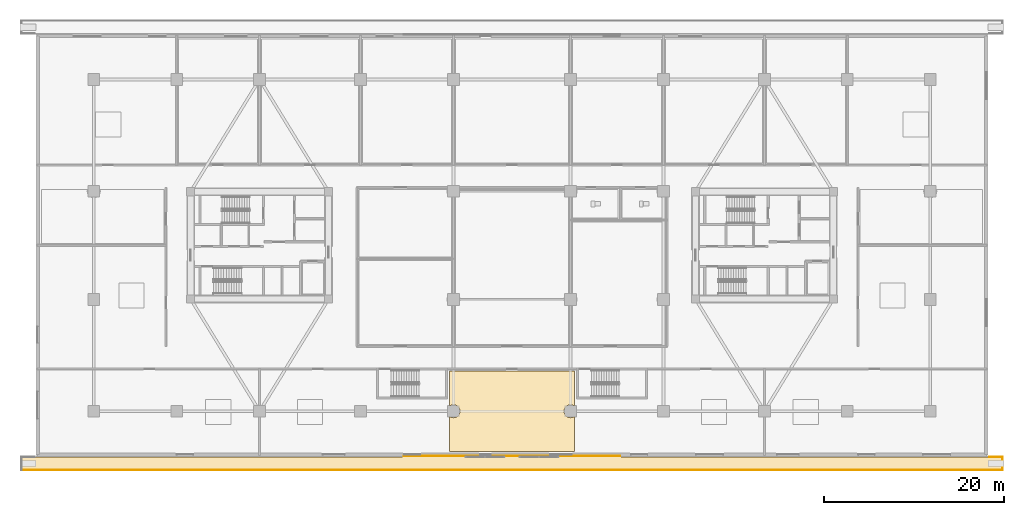
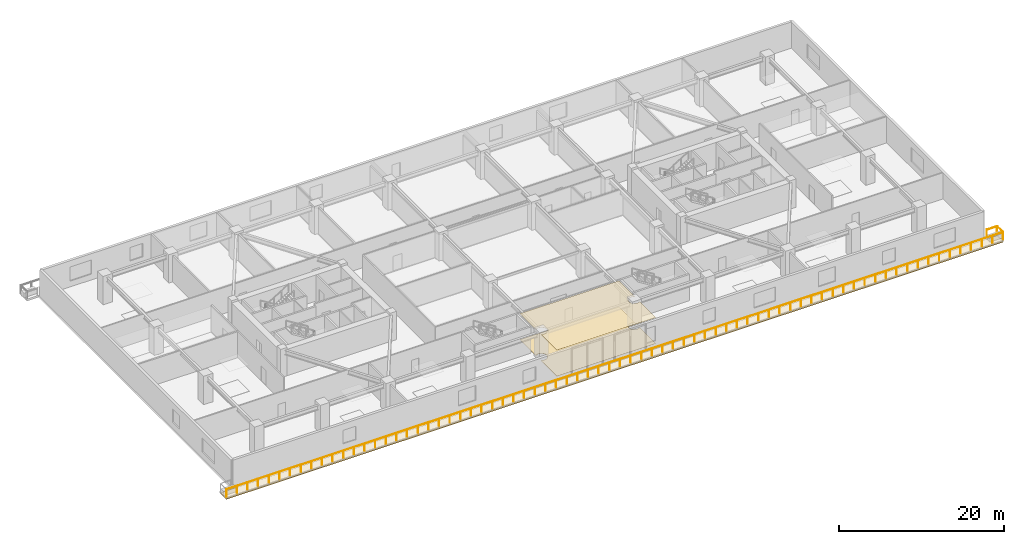
# One storey, part 15 of 22: 4 coverings, 1 railing.
"""IFC4 building model written with IfcOpenShell, lengths in metres."""

from ifc_helpers import new_model, si_unit, direction, frame, origin, origin_2d, place, context, subcontext, project, spatial, polyline, rectangle, outline, extrude, source, transform, mapped, material, layer, layer_set, type_object, type_shapes, element, save


model = new_model("IFC4")

# Units and contexts
model_context = context("Model", 3, precision=1e-05, world=origin(), true_north=direction((0.0, 1.0)))
body_context = subcontext(model_context, "Body", "Model", "MODEL_VIEW")
ifc_project = project(units=[si_unit("LENGTHUNIT", "METRE"), si_unit("AREAUNIT", "SQUARE_METRE"), si_unit("VOLUMEUNIT", "CUBIC_METRE"), si_unit("PLANEANGLEUNIT", "RADIAN"), si_unit("MASSUNIT", "GRAM", prefix="KILO")], contexts=[model_context])

# Site, building, storey
site_placement = place(None, origin())
site = spatial("IfcSite", under=ifc_project, at=site_placement, CompositionType="ELEMENT")
building_placement = place(site_placement, origin())
building = spatial("IfcBuilding", under=site, at=building_placement, Name="Norrkilde Senior Care Towers", CompositionType="ELEMENT")
storey_placement = place(building_placement, frame((0.0, 0.0, 4.199951171875)))
storey = spatial("IfcBuildingStorey", under=building, at=storey_placement, Name="L01", CompositionType="ELEMENT", Elevation=4.199951171875)

# Railing
ifc_material_1 = material(Name="Anodised Aluminium", Category="aluminium")
railing_type = type_object("IfcRailingType", Name="Balcony Swirl Ribbon Guardrail 1150", PredefinedType="GUARDRAIL", material=ifc_material_1)
railing_placement = place(storey_placement, frame((52.958740234375, -23.485107421875, 0.0)))
element("IfcRailing", 1, at=railing_placement, inside=storey, type_object=railing_type, Name="L01 Perimeter Safety Guard 02", PredefinedType="GUARDRAIL", context=body_context, shape_type="SweptSolid", body=[
    extrude(rectangle(XDim=0.048095703125, YDim=0.048095703125, at=origin_2d()), frame((0.0, 0.0, 1.1259765625), z_axis=(1.0, 0.0, 0.0), x_axis=(0.0, 1.0, 0.0)), (0.0, 0.0, 1.0), 1.42041015625),
    extrude(rectangle(XDim=0.048095703125, YDim=0.048095703125, at=origin_2d()), frame((1.461181640625, -0.040771484375, 1.1259765625), z_axis=(0.0, -1.0, 0.0), x_axis=(1.0, 0.0, 0.0)), (0.0, 0.0, 1.0), 1.35302734375),
    extrude(rectangle(XDim=0.048095703125, YDim=0.048095703125, at=origin_2d()), frame((1.42041015625, -1.434814453125, 1.1259765625), z_axis=(-1.0, 0.0, 0.0), x_axis=(0.0, -1.0, 0.0)), (0.0, 0.0, 1.0), 108.799072265625),
    extrude(rectangle(XDim=0.0419921875, YDim=0.0419921875, at=origin_2d()), origin(), (0.0, 0.0, 1.0), 1.099853515625),
    extrude(rectangle(XDim=0.0419921875, YDim=0.0419921875, at=origin_2d()), frame((1.461181640625, 0.0, 0.0)), (0.0, 0.0, 1.0), 1.099853515625),
    extrude(rectangle(XDim=0.0419921875, YDim=0.0419921875, at=origin_2d()), frame((1.461181640625, -1.434814453125, 0.0)), (0.0, 0.0, 1.0), 1.099853515625),
    extrude(rectangle(XDim=0.0419921875, YDim=0.0419921875, at=origin_2d()), frame((-0.02978515625, -1.434814453125, 0.0)), (0.0, 0.0, 1.0), 1.099853515625),
    extrude(rectangle(XDim=0.0419921875, YDim=0.0419921875, at=origin_2d()), frame((-1.520751953125, -1.434814453125, 0.0)), (0.0, 0.0, 1.0), 1.099853515625),
    extrude(rectangle(XDim=0.0419921875, YDim=0.0419921875, at=origin_2d()), frame((-3.01171875, -1.434814453125, 0.0)), (0.0, 0.0, 1.0), 1.099853515625),
    extrude(rectangle(XDim=0.0419921875, YDim=0.0419921875, at=origin_2d()), frame((-4.502685546875, -1.434814453125, 0.0)), (0.0, 0.0, 1.0), 1.099853515625),
    extrude(rectangle(XDim=0.0419921875, YDim=0.0419921875, at=origin_2d()), frame((-5.99365234375, -1.434814453125, 0.0)), (0.0, 0.0, 1.0), 1.099853515625),
    extrude(rectangle(XDim=0.0419921875, YDim=0.0419921875, at=origin_2d()), frame((-7.484619140625, -1.434814453125, 0.0)), (0.0, 0.0, 1.0), 1.099853515625),
    extrude(rectangle(XDim=0.0419921875, YDim=0.0419921875, at=origin_2d()), frame((-8.9755859375, -1.434814453125, 0.0)), (0.0, 0.0, 1.0), 1.099853515625),
    extrude(rectangle(XDim=0.0419921875, YDim=0.0419921875, at=origin_2d()), frame((-10.466552734375, -1.434814453125, 0.0)), (0.0, 0.0, 1.0), 1.099853515625),
    extrude(rectangle(XDim=0.0419921875, YDim=0.0419921875, at=origin_2d()), frame((-11.95751953125, -1.434814453125, 0.0)), (0.0, 0.0, 1.0), 1.099853515625),
    extrude(rectangle(XDim=0.0419921875, YDim=0.0419921875, at=origin_2d()), frame((-13.448486328125, -1.434814453125, 0.0)), (0.0, 0.0, 1.0), 1.099853515625),
    extrude(rectangle(XDim=0.0419921875, YDim=0.0419921875, at=origin_2d()), frame((-14.939453125, -1.434814453125, 0.0)), (0.0, 0.0, 1.0), 1.099853515625),
    extrude(rectangle(XDim=0.0419921875, YDim=0.0419921875, at=origin_2d()), frame((-16.430419921875, -1.434814453125, 0.0)), (0.0, 0.0, 1.0), 1.099853515625),
    extrude(rectangle(XDim=0.0419921875, YDim=0.0419921875, at=origin_2d()), frame((-17.921142578125, -1.434814453125, 0.0)), (0.0, 0.0, 1.0), 1.099853515625),
    extrude(rectangle(XDim=0.0419921875, YDim=0.0419921875, at=origin_2d()), frame((-19.412109375, -1.434814453125, 0.0)), (0.0, 0.0, 1.0), 1.099853515625),
    extrude(rectangle(XDim=0.0419921875, YDim=0.0419921875, at=origin_2d()), frame((-20.903076171875, -1.434814453125, 0.0)), (0.0, 0.0, 1.0), 1.099853515625),
    extrude(rectangle(XDim=0.0419921875, YDim=0.0419921875, at=origin_2d()), frame((-22.39404296875, -1.434814453125, 0.0)), (0.0, 0.0, 1.0), 1.099853515625),
    extrude(rectangle(XDim=0.0419921875, YDim=0.0419921875, at=origin_2d()), frame((-23.885009765625, -1.434814453125, 0.0)), (0.0, 0.0, 1.0), 1.099853515625),
    extrude(rectangle(XDim=0.0419921875, YDim=0.0419921875, at=origin_2d()), frame((-25.3759765625, -1.434814453125, 0.0)), (0.0, 0.0, 1.0), 1.099853515625),
    extrude(rectangle(XDim=0.0419921875, YDim=0.0419921875, at=origin_2d()), frame((-26.866943359375, -1.434814453125, 0.0)), (0.0, 0.0, 1.0), 1.099853515625),
    extrude(rectangle(XDim=0.0419921875, YDim=0.0419921875, at=origin_2d()), frame((-28.35791015625, -1.434814453125, 0.0)), (0.0, 0.0, 1.0), 1.099853515625),
    extrude(rectangle(XDim=0.0419921875, YDim=0.0419921875, at=origin_2d()), frame((-29.848876953125, -1.434814453125, 0.0)), (0.0, 0.0, 1.0), 1.099853515625),
    extrude(rectangle(XDim=0.0419921875, YDim=0.0419921875, at=origin_2d()), frame((-31.33984375, -1.434814453125, 0.0)), (0.0, 0.0, 1.0), 1.099853515625),
    extrude(rectangle(XDim=0.0419921875, YDim=0.0419921875, at=origin_2d()), frame((-32.830810546875, -1.434814453125, 0.0)), (0.0, 0.0, 1.0), 1.099853515625),
    extrude(rectangle(XDim=0.0419921875, YDim=0.0419921875, at=origin_2d()), frame((-34.32177734375, -1.434814453125, 0.0)), (0.0, 0.0, 1.0), 1.099853515625),
    extrude(rectangle(XDim=0.0419921875, YDim=0.0419921875, at=origin_2d()), frame((-35.812744140625, -1.434814453125, 0.0)), (0.0, 0.0, 1.0), 1.099853515625),
    extrude(rectangle(XDim=0.0419921875, YDim=0.0419921875, at=origin_2d()), frame((-37.3037109375, -1.434814453125, 0.0)), (0.0, 0.0, 1.0), 1.099853515625),
    extrude(rectangle(XDim=0.0419921875, YDim=0.0419921875, at=origin_2d()), frame((-38.794677734375, -1.434814453125, 0.0)), (0.0, 0.0, 1.0), 1.099853515625),
    extrude(rectangle(XDim=0.0419921875, YDim=0.0419921875, at=origin_2d()), frame((-40.28564453125, -1.434814453125, 0.0)), (0.0, 0.0, 1.0), 1.099853515625),
    extrude(rectangle(XDim=0.0419921875, YDim=0.0419921875, at=origin_2d()), frame((-41.776611328125, -1.434814453125, 0.0)), (0.0, 0.0, 1.0), 1.099853515625),
    extrude(rectangle(XDim=0.0419921875, YDim=0.0419921875, at=origin_2d()), frame((-43.267578125, -1.434814453125, 0.0)), (0.0, 0.0, 1.0), 1.099853515625),
    extrude(rectangle(XDim=0.0419921875, YDim=0.0419921875, at=origin_2d()), frame((-44.758544921875, -1.434814453125, 0.0)), (0.0, 0.0, 1.0), 1.099853515625),
    extrude(rectangle(XDim=0.0419921875, YDim=0.0419921875, at=origin_2d()), frame((-46.24951171875, -1.434814453125, 0.0)), (0.0, 0.0, 1.0), 1.099853515625),
    extrude(rectangle(XDim=0.0419921875, YDim=0.0419921875, at=origin_2d()), frame((-47.740478515625, -1.434814453125, 0.0)), (0.0, 0.0, 1.0), 1.099853515625),
    extrude(rectangle(XDim=0.0419921875, YDim=0.0419921875, at=origin_2d()), frame((-49.2314453125, -1.434814453125, 0.0)), (0.0, 0.0, 1.0), 1.099853515625),
    extrude(rectangle(XDim=0.0419921875, YDim=0.0419921875, at=origin_2d()), frame((-50.722412109375, -1.434814453125, 0.0)), (0.0, 0.0, 1.0), 1.099853515625),
    extrude(rectangle(XDim=0.0419921875, YDim=0.0419921875, at=origin_2d()), frame((-52.21337890625, -1.434814453125, 0.0)), (0.0, 0.0, 1.0), 1.099853515625),
    extrude(rectangle(XDim=0.0419921875, YDim=0.0419921875, at=origin_2d()), frame((-53.7041015625, -1.434814453125, 0.0)), (0.0, 0.0, 1.0), 1.099853515625),
    extrude(rectangle(XDim=0.0419921875, YDim=0.0419921875, at=origin_2d()), frame((-55.195068359375, -1.434814453125, 0.0)), (0.0, 0.0, 1.0), 1.099853515625),
    extrude(rectangle(XDim=0.0419921875, YDim=0.0419921875, at=origin_2d()), frame((-56.68603515625, -1.434814453125, 0.0)), (0.0, 0.0, 1.0), 1.099853515625),
    extrude(rectangle(XDim=0.0419921875, YDim=0.0419921875, at=origin_2d()), frame((-58.177001953125, -1.434814453125, 0.0)), (0.0, 0.0, 1.0), 1.099853515625),
    extrude(rectangle(XDim=0.0419921875, YDim=0.0419921875, at=origin_2d()), frame((-59.66796875, -1.434814453125, 0.0)), (0.0, 0.0, 1.0), 1.099853515625),
    extrude(rectangle(XDim=0.0419921875, YDim=0.0419921875, at=origin_2d()), frame((-61.158935546875, -1.434814453125, 0.0)), (0.0, 0.0, 1.0), 1.099853515625),
    extrude(rectangle(XDim=0.0419921875, YDim=0.0419921875, at=origin_2d()), frame((-62.64990234375, -1.434814453125, 0.0)), (0.0, 0.0, 1.0), 1.099853515625),
    extrude(rectangle(XDim=0.0419921875, YDim=0.0419921875, at=origin_2d()), frame((-64.140869140625, -1.434814453125, 0.0)), (0.0, 0.0, 1.0), 1.099853515625),
    extrude(rectangle(XDim=0.0419921875, YDim=0.0419921875, at=origin_2d()), frame((-65.6318359375, -1.434814453125, 0.0)), (0.0, 0.0, 1.0), 1.099853515625),
    extrude(rectangle(XDim=0.0419921875, YDim=0.0419921875, at=origin_2d()), frame((-67.122802734375, -1.434814453125, 0.0)), (0.0, 0.0, 1.0), 1.099853515625),
    extrude(rectangle(XDim=0.0419921875, YDim=0.0419921875, at=origin_2d()), frame((-68.61376953125, -1.434814453125, 0.0)), (0.0, 0.0, 1.0), 1.099853515625),
    extrude(rectangle(XDim=0.0419921875, YDim=0.0419921875, at=origin_2d()), frame((-70.104736328125, -1.434814453125, 0.0)), (0.0, 0.0, 1.0), 1.099853515625),
    extrude(rectangle(XDim=0.0419921875, YDim=0.0419921875, at=origin_2d()), frame((-71.595703125, -1.434814453125, 0.0)), (0.0, 0.0, 1.0), 1.099853515625),
    extrude(rectangle(XDim=0.0419921875, YDim=0.0419921875, at=origin_2d()), frame((-73.086669921875, -1.434814453125, 0.0)), (0.0, 0.0, 1.0), 1.099853515625),
    extrude(rectangle(XDim=0.0419921875, YDim=0.0419921875, at=origin_2d()), frame((-74.57763671875, -1.434814453125, 0.0)), (0.0, 0.0, 1.0), 1.099853515625),
    extrude(rectangle(XDim=0.0419921875, YDim=0.0419921875, at=origin_2d()), frame((-76.068603515625, -1.434814453125, 0.0)), (0.0, 0.0, 1.0), 1.099853515625),
    extrude(rectangle(XDim=0.0419921875, YDim=0.0419921875, at=origin_2d()), frame((-77.5595703125, -1.434814453125, 0.0)), (0.0, 0.0, 1.0), 1.099853515625),
    extrude(rectangle(XDim=0.0419921875, YDim=0.0419921875, at=origin_2d()), frame((-79.050537109375, -1.434814453125, 0.0)), (0.0, 0.0, 1.0), 1.099853515625),
    extrude(rectangle(XDim=0.0419921875, YDim=0.0419921875, at=origin_2d()), frame((-80.54150390625, -1.434814453125, 0.0)), (0.0, 0.0, 1.0), 1.099853515625),
    extrude(rectangle(XDim=0.0419921875, YDim=0.0419921875, at=origin_2d()), frame((-82.032470703125, -1.434814453125, 0.0)), (0.0, 0.0, 1.0), 1.099853515625),
    extrude(rectangle(XDim=0.0419921875, YDim=0.0419921875, at=origin_2d()), frame((-83.5234375, -1.434814453125, 0.0)), (0.0, 0.0, 1.0), 1.099853515625),
    extrude(rectangle(XDim=0.0419921875, YDim=0.0419921875, at=origin_2d()), frame((-85.014404296875, -1.434814453125, 0.0)), (0.0, 0.0, 1.0), 1.099853515625),
    extrude(rectangle(XDim=0.0419921875, YDim=0.0419921875, at=origin_2d()), frame((-86.50537109375, -1.434814453125, 0.0)), (0.0, 0.0, 1.0), 1.099853515625),
    extrude(rectangle(XDim=0.0419921875, YDim=0.0419921875, at=origin_2d()), frame((-87.996337890625, -1.434814453125, 0.0)), (0.0, 0.0, 1.0), 1.099853515625),
    extrude(rectangle(XDim=0.0419921875, YDim=0.0419921875, at=origin_2d()), frame((-89.487060546875, -1.434814453125, 0.0)), (0.0, 0.0, 1.0), 1.099853515625),
    extrude(rectangle(XDim=0.0419921875, YDim=0.0419921875, at=origin_2d()), frame((-90.97802734375, -1.434814453125, 0.0)), (0.0, 0.0, 1.0), 1.099853515625),
    extrude(rectangle(XDim=0.0419921875, YDim=0.0419921875, at=origin_2d()), frame((-92.468994140625, -1.434814453125, 0.0)), (0.0, 0.0, 1.0), 1.099853515625),
    extrude(rectangle(XDim=0.0419921875, YDim=0.0419921875, at=origin_2d()), frame((-93.9599609375, -1.434814453125, 0.0)), (0.0, 0.0, 1.0), 1.099853515625),
    extrude(rectangle(XDim=0.0419921875, YDim=0.0419921875, at=origin_2d()), frame((-95.450927734375, -1.434814453125, 0.0)), (0.0, 0.0, 1.0), 1.099853515625),
    extrude(rectangle(XDim=0.0419921875, YDim=0.0419921875, at=origin_2d()), frame((-96.94189453125, -1.434814453125, 0.0)), (0.0, 0.0, 1.0), 1.099853515625),
    extrude(rectangle(XDim=0.0419921875, YDim=0.0419921875, at=origin_2d()), frame((-98.432861328125, -1.434814453125, 0.0)), (0.0, 0.0, 1.0), 1.099853515625),
    extrude(rectangle(XDim=0.0419921875, YDim=0.0419921875, at=origin_2d()), frame((-99.923828125, -1.434814453125, 0.0)), (0.0, 0.0, 1.0), 1.099853515625),
    extrude(rectangle(XDim=0.0419921875, YDim=0.0419921875, at=origin_2d()), frame((-101.414794921875, -1.434814453125, 0.0)), (0.0, 0.0, 1.0), 1.099853515625),
    extrude(rectangle(XDim=0.0419921875, YDim=0.0419921875, at=origin_2d()), frame((-102.90576171875, -1.434814453125, 0.0)), (0.0, 0.0, 1.0), 1.099853515625),
    extrude(rectangle(XDim=0.0419921875, YDim=0.0419921875, at=origin_2d()), frame((-104.396728515625, -1.434814453125, 0.0)), (0.0, 0.0, 1.0), 1.099853515625),
    extrude(rectangle(XDim=0.0419921875, YDim=0.0419921875, at=origin_2d()), frame((-105.8876953125, -1.434814453125, 0.0)), (0.0, 0.0, 1.0), 1.099853515625),
    extrude(rectangle(XDim=0.0419921875, YDim=0.0419921875, at=origin_2d()), frame((-107.378662109375, -1.434814453125, 0.0)), (0.0, 0.0, 1.0), 1.099853515625),
])

# Coverings
ifc_material_2 = material(Name="EPDM Waterproofing and PIR Insulation")
ifc_layer_1 = layer(ifc_material_2, 0.159912109375)
ifc_layer_set_1 = layer_set([ifc_layer_1], Name="EPDM Waterproofing and PIR Insulation")
covering_type_1 = type_object("IfcCoveringType", Name="Insulated EPDM Roof Membrane 160", PredefinedType="ROOFING", material=ifc_layer_set_1)
covering_1_placement = place(storey_placement, frame((0.0, 0.0, -0.389892578125)))
element("IfcCovering", 2, at=covering_1_placement, inside=storey, type_object=covering_type_1, Name="L01 S Terrace Waterproof Membrane", PredefinedType="ROOFING", context=body_context, shape_type="SweptSolid", body=[
    extrude(outline(polyline([(-54.39990234375, -24.89990234375), (54.39990234375, -24.89990234375), (54.39990234375, -23.5048828125), (-54.39990234375, -23.5048828125), (-54.39990234375, -24.89990234375)])), origin(), (0.0, 0.0, 1.0), 0.159912109375),
])
ifc_material_3 = material(Name="Gypsum Acoustic Board")
ifc_layer_2 = layer(ifc_material_3, 0.030029296875)
ifc_layer_set_2 = layer_set([ifc_layer_2], Name="Gypsum Acoustic Board")
covering_type_2 = type_object("IfcCoveringType", Name="Medical Cleanable Gypsum Ceiling 30", PredefinedType="CEILING", material=ifc_layer_set_2)
covering_2_placement = place(storey_placement, frame((0.0, 0.0, 3.85009765625)))
element("IfcCovering", 3, at=covering_2_placement, inside=storey, type_object=covering_type_2, Name="L01 Suspended Ceiling 0043", PredefinedType="CEILING", context=body_context, shape_type="SweptSolid", body=[
    extrude(outline(polyline([(-6.929931640625, -22.8798828125), (-6.929931640625, -18.982421875), (-6.864990234375, -19.0322265625), (-6.68896484375, -19.105224609375), (-6.5, -19.1298828125), (-6.31103515625, -19.105224609375), (-6.135009765625, -19.0322265625), (-5.98388671875, -18.916259765625), (-5.867919921875, -18.764892578125), (-5.794921875, -18.5888671875), (-5.77001953125, -18.39990234375), (-5.794921875, -18.211181640625), (-5.867919921875, -18.034912109375), (-5.98388671875, -17.8837890625), (-6.135009765625, -17.767822265625), (-6.31103515625, -17.69482421875), (-6.5, -17.669921875), (-6.68896484375, -17.69482421875), (-6.864990234375, -17.767822265625), (-6.929931640625, -17.817626953125), (-6.929931640625, -13.93994140625), (6.929931640625, -13.93994140625), (6.929931640625, -17.817626953125), (6.864990234375, -17.767822265625), (6.68896484375, -17.69482421875), (6.5, -17.669921875), (6.31103515625, -17.69482421875), (6.135009765625, -17.767822265625), (5.98388671875, -17.8837890625), (5.867919921875, -18.034912109375), (5.794921875, -18.211181640625), (5.77001953125, -18.39990234375), (5.794921875, -18.5888671875), (5.867919921875, -18.764892578125), (5.98388671875, -18.916259765625), (6.135009765625, -19.0322265625), (6.31103515625, -19.105224609375), (6.5, -19.1298828125), (6.68896484375, -19.105224609375), (6.864990234375, -19.0322265625), (6.929931640625, -18.982421875), (6.929931640625, -22.8798828125), (-6.929931640625, -22.8798828125)])), origin(), (0.0, 0.0, 1.0), 0.030029296875),
])
ifc_material_4 = material(Name="Slip-Resistant Porcelain Stone", Category="masonry")
ifc_layer_3 = layer(ifc_material_4, 0.02490234375)
ifc_layer_set_3 = layer_set([ifc_layer_3], Name="Slip-Resistant Porcelain Stone")
covering_type_3 = type_object("IfcCoveringType", Name="Slip-Resistant Porcelain Flooring 25", PredefinedType="FLOORING", material=ifc_layer_set_3)
covering_3_placement = place(storey_placement, origin())
element("IfcCovering", 4, at=covering_3_placement, inside=storey, type_object=covering_type_3, Name="L01 Floor Finish 0043", PredefinedType="FLOORING", context=body_context, shape_type="SweptSolid", body=[
    extrude(outline(polyline([(-6.929931640625, -22.8798828125), (-6.929931640625, -18.982421875), (-6.864990234375, -19.0322265625), (-6.68896484375, -19.105224609375), (-6.5, -19.1298828125), (-6.31103515625, -19.105224609375), (-6.135009765625, -19.0322265625), (-5.98388671875, -18.916259765625), (-5.867919921875, -18.764892578125), (-5.794921875, -18.5888671875), (-5.77001953125, -18.39990234375), (-5.794921875, -18.211181640625), (-5.867919921875, -18.034912109375), (-5.98388671875, -17.8837890625), (-6.135009765625, -17.767822265625), (-6.31103515625, -17.69482421875), (-6.5, -17.669921875), (-6.68896484375, -17.69482421875), (-6.864990234375, -17.767822265625), (-6.929931640625, -17.817626953125), (-6.929931640625, -13.93994140625), (6.929931640625, -13.93994140625), (6.929931640625, -17.817626953125), (6.864990234375, -17.767822265625), (6.68896484375, -17.69482421875), (6.5, -17.669921875), (6.31103515625, -17.69482421875), (6.135009765625, -17.767822265625), (5.98388671875, -17.8837890625), (5.867919921875, -18.034912109375), (5.794921875, -18.211181640625), (5.77001953125, -18.39990234375), (5.794921875, -18.5888671875), (5.867919921875, -18.764892578125), (5.98388671875, -18.916259765625), (6.135009765625, -19.0322265625), (6.31103515625, -19.105224609375), (6.5, -19.1298828125), (6.68896484375, -19.105224609375), (6.864990234375, -19.0322265625), (6.929931640625, -18.982421875), (6.929931640625, -22.8798828125), (-6.929931640625, -22.8798828125)])), origin(), (0.0, 0.0, 1.0), 0.025146484375),
])
ifc_material_5 = material(Name="Architectural Terracotta", Category="masonry")
ifc_layer_4 = layer(ifc_material_5, 0.0400390625)
ifc_layer_set_4 = layer_set([ifc_layer_4], Name="Architectural Terracotta")
covering_type_4 = type_object("IfcCoveringType", Name="Glazed Terracotta Spandrel Cladding 40", PredefinedType="CLADDING", material=ifc_layer_set_4)
shared_shape = source(origin(), body_context, "Body", "SweptSolid", [
    extrude(rectangle(XDim=24.0, YDim=0.0400390625, at=origin_2d()), origin(), (0.0, 0.0, 1.0), 0.320068359375),
])
type_shapes(covering_type_4, [shared_shape])
covering_4_placement = place(storey_placement, frame((0.0, -23.3798828125, -0.31982421875), z_axis=(0.0, 0.0, 1.0), x_axis=(1.0, 0.0, 0.0)))
element("IfcCovering", 5, at=covering_4_placement, inside=storey, type_object=covering_type_4, Name="L01 S Terracotta Spandrel Band", PredefinedType="CLADDING", context=body_context, shape_type="MappedRepresentation", body=[
    mapped(shared_shape, transform((0.0, 0.0, 0.0), x_axis=(1.0, 0.0, 0.0), y_axis=(0.0, 1.0, 0.0), z_axis=(0.0, 0.0, 1.0), scale=1.0)),
])

save(model, "model.ifc")
